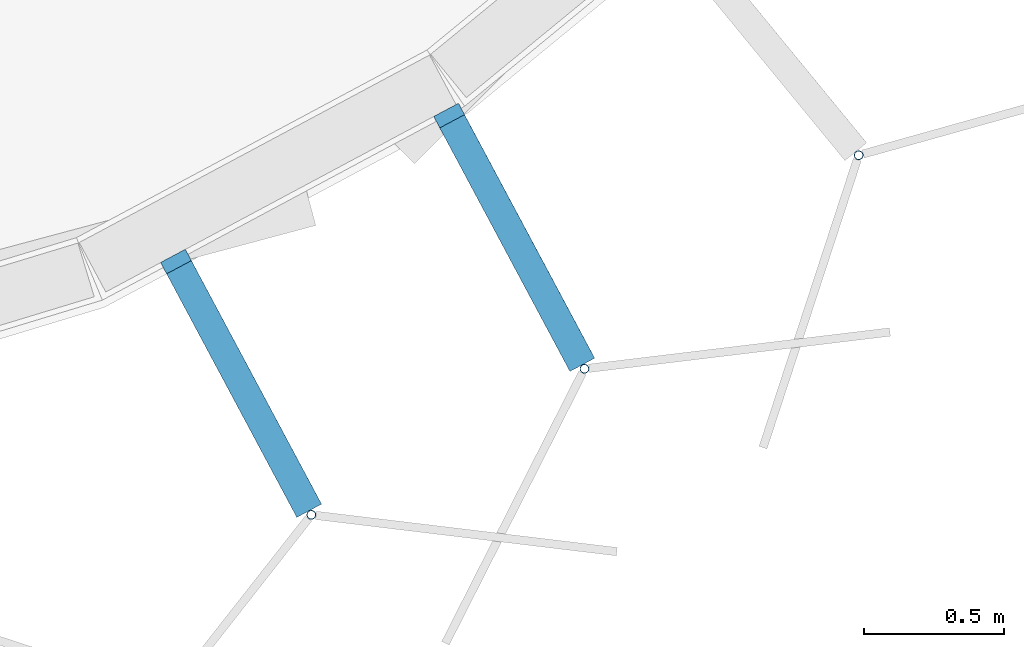
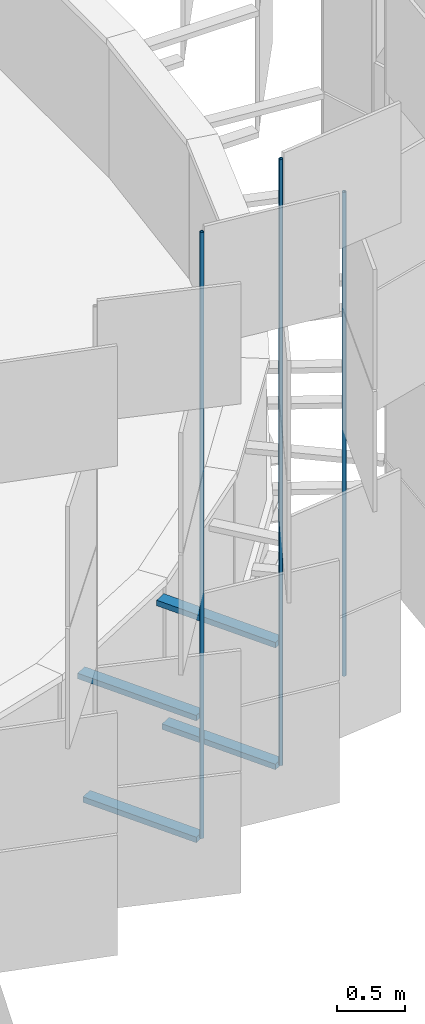
# One storey, part 172 of 483: 7 discrete accessories.
"""IFC4 building model written with IfcOpenShell, lengths in metres."""

import ifcopenshell
import ifcopenshell.guid

model = None  # the IFC model being written
_history = None  # IfcOwnerHistory: only IFC2X3 demands one
_inside = {}  # id of a spatial element -> (the spatial element, [elements in it])
_under = {}  # id of a project, library or spatial element -> (it, [spatial elements below it])
_declared = {}  # id of a project -> (the project, [libraries it declares])
_typed = {}  # id of a type object -> (the type object, [elements of that type])
_made_of = {}  # id of a material, layer set ... -> (it, [elements and type objects made of it])


def new_model(schema):
    """Start an empty IFC model of exactly this schema.

    Asked for "IFC4X3", IfcOpenShell would pick the latest addendum, in which some entities
    have other attributes; the version numbers below select the first issue.
    IFC2X3 requires an IfcOwnerHistory on every rooted entity: one is made here for all.
    """
    global model, _history
    if schema == "IFC4X3":
        model = ifcopenshell.file(schema_version=(4, 3, 0, 0))
    else:
        model = ifcopenshell.file(schema=schema)
    _inside.clear()
    _under.clear()
    _declared.clear()
    _typed.clear()
    _made_of.clear()
    _history = None
    if model.schema == "IFC2X3":
        org = make("IfcOrganization", Name="unknown")
        user = make(
            "IfcPersonAndOrganization",
            ThePerson=make("IfcPerson", FamilyName="unknown"),
            TheOrganization=org,
        )
        app = make(
            "IfcApplication",
            ApplicationDeveloper=org,
            Version="unknown",
            ApplicationFullName="unknown",
            ApplicationIdentifier="unknown",
        )
        _history = make(
            "IfcOwnerHistory",
            OwningUser=user,
            OwningApplication=app,
            ChangeAction="ADDED",
            CreationDate=0,
        )
    return model


def make(cls, **values):
    """One entity of the class cls with the attributes given. An attribute that is None is left unset."""
    return model.create_entity(
        cls, **{name: value for name, value in values.items() if value is not None}
    )


def rooted(cls, **values):
    """An entity with a GlobalId (a new one), such as an element, a storey or a relation."""
    return make(cls, GlobalId=ifcopenshell.guid.new(), OwnerHistory=_history, **values)


def si_unit(unit_type, name, prefix=None):
    """IfcSIUnit, for example si_unit("LENGTHUNIT", "METRE", prefix="MILLI")."""
    return make("IfcSIUnit", UnitType=unit_type, Prefix=prefix, Name=name)


def assignment(units):
    """IfcUnitAssignment: the units of a project."""
    return None if units is None else make("IfcUnitAssignment", Units=units)


def point(xyz):
    """IfcCartesianPoint."""
    return None if xyz is None else make("IfcCartesianPoint", Coordinates=xyz)


def direction(xyz):
    """IfcDirection."""
    return None if xyz is None else make("IfcDirection", DirectionRatios=xyz)


def frame(location, z_axis=None, x_axis=None):
    """IfcAxis2Placement3D, a coordinate frame: its origin and axes. An axis left out is left unset."""
    return make(
        "IfcAxis2Placement3D",
        Location=point(location),
        Axis=direction(z_axis),
        RefDirection=direction(x_axis),
    )


def frame_2d(location, x_axis=None):
    """IfcAxis2Placement2D, a coordinate frame in the plane: its origin and x axis."""
    return make(
        "IfcAxis2Placement2D", Location=point(location), RefDirection=direction(x_axis)
    )


def origin():
    """The frame at (0, 0, 0) with its axes left unset."""
    return frame((0.0, 0.0, 0.0))


def origin_2d():
    """The frame at (0, 0) in the plane with its x axis left unset."""
    return frame_2d((0.0, 0.0))


def place(relative_to, where):
    """IfcLocalPlacement: puts the frame where relative to a parent placement (None: the world)."""
    return make(
        "IfcLocalPlacement", PlacementRelTo=relative_to, RelativePlacement=where
    )


def context(
    kind, dimensions, precision=None, world=None, true_north=None, identifier=None
):
    """IfcGeometricRepresentationContext, for example the 3D "Model" context."""
    return make(
        "IfcGeometricRepresentationContext",
        ContextIdentifier=identifier,
        ContextType=kind,
        CoordinateSpaceDimension=dimensions,
        Precision=precision,
        WorldCoordinateSystem=world,
        TrueNorth=true_north,
    )


def subcontext(parent, identifier, kind, view, scale=None):
    """IfcGeometricRepresentationSubContext, for example "Body" below "Model"."""
    return make(
        "IfcGeometricRepresentationSubContext",
        ContextIdentifier=identifier,
        ContextType=kind,
        ParentContext=parent,
        TargetScale=scale,
        TargetView=view,
    )


def project(units=None, contexts=None):
    """IfcProject with its units and contexts."""
    return rooted(
        "IfcProject",
        Name="project",
        RepresentationContexts=contexts,
        UnitsInContext=assignment(units),
    )


def spatial(cls, under=None, at=None, **own):
    """A site, building, storey or space (cls), placed at a placement, below another one or the project."""
    s = rooted(cls, ObjectPlacement=at, **own)
    if under is not None:
        _under.setdefault(under.id(), (under, []))[1].append(s)
    return s


def profile(cls, at=None, kind="AREA", **sizes):
    """A parametric profile (cls). Its sizes go by their IFC names, for example OverallWidth=200.0."""
    return make(cls, ProfileType=kind, Position=at, **sizes)


def rectangle(**sizes):
    """IfcRectangleProfileDef."""
    return profile("IfcRectangleProfileDef", **sizes)


def hollow_circle(**sizes):
    """IfcCircleHollowProfileDef."""
    return profile("IfcCircleHollowProfileDef", **sizes)


def extrude(swept, where, along, depth):
    """IfcExtrudedAreaSolid: the profile swept, set in the frame where, extruded along a direction by depth."""
    return make(
        "IfcExtrudedAreaSolid",
        SweptArea=swept,
        Position=where,
        ExtrudedDirection=direction(along),
        Depth=depth,
    )


def shape(context_of_items, identifier, shape_type, items):
    """IfcShapeRepresentation: the items that make up one representation, for example the "Body"."""
    return make(
        "IfcShapeRepresentation",
        ContextOfItems=context_of_items,
        RepresentationIdentifier=identifier,
        RepresentationType=shape_type,
        Items=items,
    )


def material(Name=None, Category=None):
    """IfcMaterial."""
    return make("IfcMaterial", Name=Name, Category=Category)


def material_profile(
    of_material, cross_section, Name=None, Category=None, Priority=None
):
    """IfcMaterialProfile: a cross section and its material."""
    return make(
        "IfcMaterialProfile",
        Name=Name,
        Material=of_material,
        Profile=cross_section,
        Priority=Priority,
        Category=Category,
    )


def profile_set(profiles, Name=None, composite=None):
    """IfcMaterialProfileSet."""
    return make(
        "IfcMaterialProfileSet",
        Name=Name,
        MaterialProfiles=profiles,
        CompositeProfile=composite,
    )


def made_of(thing, what):
    """Note that an element or type object is made of a material, layer set ...; save() writes the relation."""
    if what is not None:
        _made_of.setdefault(what.id(), (what, []))[1].append(thing)
    return thing


def type_object(cls, material=None, **own):
    """A type object (cls), such as IfcWallType, which elements share."""
    return made_of(rooted(cls, **own), material)


def element(
    cls,
    number,
    at=None,
    inside=None,
    cuts=None,
    type_object=None,
    material=None,
    context=None,
    identifier="Body",
    shape_type=None,
    held_by="IfcProductDefinitionShape",
    body=None,
    shapes=None,
    **own,
):
    """One element of the class cls, such as IfcWall. Its Tag is "e" and its number.

    at: its placement. inside: the storey or other place that contains it. cuts: it is an
    opening in that element (IfcRelVoidsElement). A single representation is given by context,
    identifier, shape_type and body (its items); several are given by shapes. held_by: the class
    of the entity that holds the representations. save() writes the other relations.
    """
    e = rooted(cls, Tag="e%d" % number, ObjectPlacement=at, **own)
    if body is not None:
        shapes = [shape(context, identifier, shape_type, body)]
    if shapes is not None:
        e.Representation = make(held_by, Representations=shapes)
    if inside is not None:
        _inside.setdefault(inside.id(), (inside, []))[1].append(e)
    if cuts is not None:
        rooted(
            "IfcRelVoidsElement", RelatingBuildingElement=cuts, RelatedOpeningElement=e
        )
    if type_object is not None:
        _typed.setdefault(type_object.id(), (type_object, []))[1].append(e)
    return made_of(e, material)


def aggregate(whole, parts):
    """IfcRelAggregates: a whole, such as a stair, and the parts it consists of."""
    return rooted("IfcRelAggregates", RelatingObject=whole, RelatedObjects=parts)


def save(model, path):
    """Write the relations noted so far, then the file.

    IfcRelAggregates (storeys below a building ...), IfcRelContainedInSpatialStructure (elements
    in a storey), IfcRelDefinesByType, IfcRelAssociatesMaterial and IfcRelDeclares: one each for
    every whole, place, type object, material and project.
    """
    for whole, parts in _under.values():
        aggregate(whole, parts)
    for where, things in _inside.values():
        rooted(
            "IfcRelContainedInSpatialStructure",
            RelatedElements=things,
            RelatingStructure=where,
        )
    for kind, things in _typed.values():
        rooted("IfcRelDefinesByType", RelatedObjects=things, RelatingType=kind)
    for what, things in _made_of.values():
        rooted("IfcRelAssociatesMaterial", RelatedObjects=things, RelatingMaterial=what)
    for by, libraries in _declared.values():
        rooted("IfcRelDeclares", RelatingContext=by, RelatedDefinitions=libraries)
    model.write(path)


model = new_model("IFC4")

# Units and contexts
model_context = context("Model", 3, precision=1e-05, world=origin(), true_north=direction((0.0, 1.0)))
body_context = subcontext(model_context, "Body", "Model", "MODEL_VIEW")
ifc_project = project(units=[si_unit("LENGTHUNIT", "METRE"), si_unit("AREAUNIT", "SQUARE_METRE"), si_unit("VOLUMEUNIT", "CUBIC_METRE"), si_unit("PLANEANGLEUNIT", "RADIAN"), si_unit("MASSUNIT", "GRAM", prefix="KILO")], contexts=[model_context])

# Site, building, storey
site_placement = place(None, origin())
site = spatial("IfcSite", under=ifc_project, at=site_placement, CompositionType="ELEMENT")
building_placement = place(site_placement, origin())
building = spatial("IfcBuilding", under=site, at=building_placement, Name="Parallax Yard Mobility Hub", CompositionType="ELEMENT")
storey_placement = place(building_placement, frame((0.0, 0.0, 13.199951171875)))
storey = spatial("IfcBuildingStorey", under=building, at=storey_placement, Name="L04", CompositionType="ELEMENT", Elevation=13.199951171875)

# Discrete accessories
ifc_material_1 = material(Name="Steel ASTM A36, hot-dip galvanised", Category="steel")
discrete_accessory_type_1 = type_object("IfcDiscreteAccessoryType", Name="Hinge bracket plate 100x50", PredefinedType="BRACKET", material=ifc_material_1)
discrete_accessory_1_placement = place(storey_placement, frame((220.868896484375, 22.7802734375, -0.02490234375), z_axis=(0.0, 0.0, 1.0), x_axis=(0.471396736826, -0.881921264348, 0.0)))
element("IfcDiscreteAccessory", 1, at=discrete_accessory_1_placement, inside=storey, type_object=discrete_accessory_type_1, Name="Hinge bracket plate bay 32.4 level L04", PredefinedType="BRACKET", context=body_context, shape_type="SweptSolid", body=[
    extrude(rectangle(XDim=0.984130859375, YDim=0.10009765625, at=origin_2d()), origin(), (0.0, 0.0, 1.0), 0.050048828125),
])
discrete_accessory_2_placement = place(storey_placement, frame((220.858154296875, 22.800537109375, 1.06982421875), z_axis=(0.0, 0.0, 1.0), x_axis=(0.471396736826, -0.881921264348, 0.0)))
element("IfcDiscreteAccessory", 2, at=discrete_accessory_2_placement, inside=storey, type_object=discrete_accessory_type_1, Name="Hinge bracket plate bay 32.4 level L04", PredefinedType="BRACKET", context=body_context, shape_type="SweptSolid", body=[
    extrude(rectangle(XDim=1.030029296875, YDim=0.10009765625, at=origin_2d()), origin(), (0.0, 0.0, 1.0), 0.050048828125),
])
discrete_accessory_3_placement = place(storey_placement, frame((221.84228515625, 23.30029296875, -0.02490234375), z_axis=(0.0, 0.0, 1.0), x_axis=(0.471396736826, -0.881921264348, 0.0)))
element("IfcDiscreteAccessory", 3, at=discrete_accessory_3_placement, inside=storey, type_object=discrete_accessory_type_1, Name="Hinge bracket plate bay 32.5 level L04", PredefinedType="BRACKET", context=body_context, shape_type="SweptSolid", body=[
    extrude(rectangle(XDim=0.984130859375, YDim=0.10009765625, at=origin_2d()), origin(), (0.0, 0.0, 1.0), 0.050048828125),
])
discrete_accessory_4_placement = place(storey_placement, frame((221.83154296875, 23.32080078125, 1.06982421875), z_axis=(0.0, 0.0, 1.0), x_axis=(0.471396736826, -0.881921264348, 0.0)))
element("IfcDiscreteAccessory", 4, at=discrete_accessory_4_placement, inside=storey, type_object=discrete_accessory_type_1, Name="Hinge bracket plate bay 32.5 level L04", PredefinedType="BRACKET", context=body_context, shape_type="SweptSolid", body=[
    extrude(rectangle(XDim=1.030029296875, YDim=0.10009765625, at=origin_2d()), origin(), (0.0, 0.0, 1.0), 0.050048828125),
])
ifc_material_2 = material(Name="Steel ASTM A500 Gr C, hot-dip galvanised", Category="steel")
ifc_material_profile = material_profile(ifc_material_2, hollow_circle(Radius=0.016845703125, WallThickness=0.003173828125, at=origin_2d()), Name="CHS 33.7x3.2")
ifc_profile_set = profile_set([ifc_material_profile], Name="Steel ASTM A500 Gr C, hot-dip galvanised")
discrete_accessory_type_2 = type_object("IfcDiscreteAccessoryType", Name="Hinge post CHS 33.7x3.2", PredefinedType="BRACKET", material=ifc_profile_set)
for number, where, z_axis, x_axis, name in (
    (5, (221.108642578125, 22.331787109375, 0.0), (0.0, 0.0, 1.0), (1.0, 0.0, 0.0), "Hinge post bay 32.4 level L04"),
    (6, (222.08203125, 22.85205078125, 0.0), (0.0, 0.0, 1.0), (1.0, 0.0, 0.0), "Hinge post bay 32.5 level L04"),
):
    element("IfcDiscreteAccessory", number, at=place(storey_placement, frame(where, z_axis=z_axis, x_axis=x_axis)), inside=storey, type_object=discrete_accessory_type_2, Name=name, PredefinedType="BRACKET", context=body_context, shape_type="SweptSolid", body=[
        extrude(hollow_circle(Radius=0.016845703125, WallThickness=0.003173828125, at=origin_2d()), origin(), (0.0, 0.0, 1.0), 5.449951171875),
    ])
discrete_accessory_5_placement = place(storey_placement, frame((223.059326171875, 23.61328125, 0.0), z_axis=(0.0, 0.0, 1.0), x_axis=(1.0, 0.0, 0.0)))
element("IfcDiscreteAccessory", 7, at=discrete_accessory_5_placement, inside=storey, type_object=discrete_accessory_type_2, Name="Hinge post bay 32.6 level L04", PredefinedType="BRACKET", context=body_context, shape_type="SweptSolid", body=[
    extrude(hollow_circle(Radius=0.016845703125, WallThickness=0.003173828125, at=origin_2d()), origin(), (0.0, 0.0, 1.0), 4.35009765625),
])

save(model, "model.ifc")
